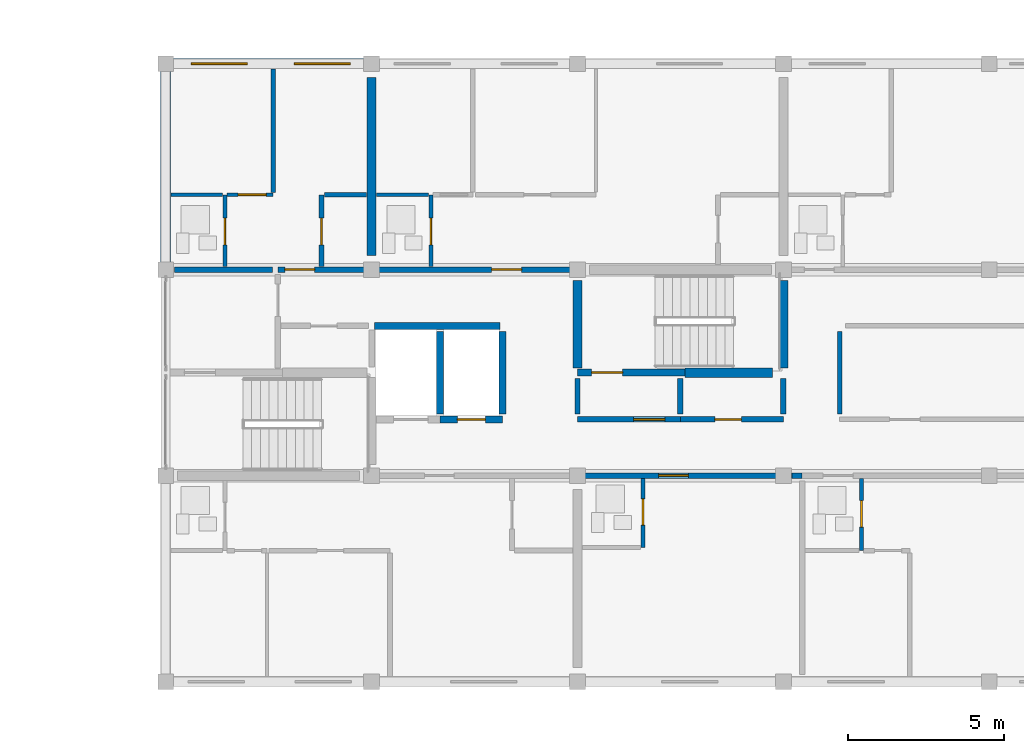
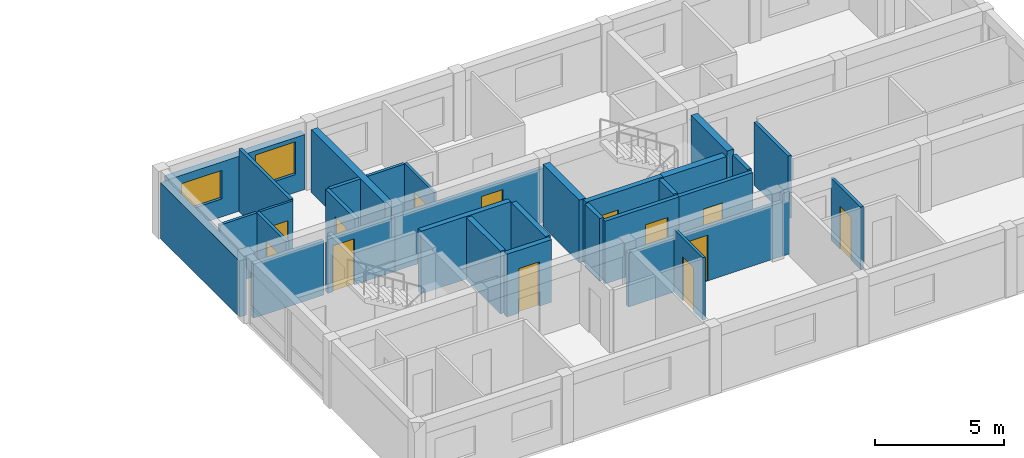
# One storey, part 35 of 45: 32 walls, 13 doors, 2 windows, 15 openings.
"""IFC4 building model written with IfcOpenShell, lengths in metres."""

from ifc_helpers import new_model, si_unit, direction, frame, frame_2d, origin, place, context, subcontext, project, spatial, rectangle, extrude, material, layer, layer_set, type_object, element, fill, save


model = new_model("IFC4")

# Units and contexts
model_context = context("Model", 3, precision=1e-05, world=origin(), true_north=direction((0.0, 1.0)))
body_context = subcontext(model_context, "Body", "Model", "MODEL_VIEW")
ifc_project = project(units=[si_unit("LENGTHUNIT", "METRE"), si_unit("AREAUNIT", "SQUARE_METRE"), si_unit("VOLUMEUNIT", "CUBIC_METRE"), si_unit("PLANEANGLEUNIT", "RADIAN"), si_unit("MASSUNIT", "GRAM", prefix="KILO")], contexts=[model_context])

# Site, building, storey
site_placement = place(None, origin())
site = spatial("IfcSite", under=ifc_project, at=site_placement, CompositionType="ELEMENT")
building_placement = place(site_placement, origin())
building = spatial("IfcBuilding", under=site, at=building_placement, Name="Kernevlak Ridge Housing Community", CompositionType="ELEMENT")
storey_placement = place(building_placement, frame((0.0, 0.0, 21.199951171875)))
storey = spatial("IfcBuildingStorey", under=building, at=storey_placement, Name="L06", CompositionType="ELEMENT", Elevation=21.199951171875)

# Wall, openings, windows
ifc_material_1 = material(Name="Concrete block masonry M10", Category="masonry")
ifc_layer_1 = layer(ifc_material_1, 0.320068359375, Name="Concrete block masonry M10")
ifc_layer_set_1 = layer_set([ifc_layer_1], Name="Concrete block masonry M10")
wall_type_1 = type_object("IfcWallType", Name="EW-02", PredefinedType="STANDARD", material=ifc_layer_set_1)
wall_1_placement = place(storey_placement, frame((119.64990234375, 102.39990234375, 0.0), z_axis=(0.0, 0.0, 1.0), x_axis=(1.0, 0.0, 0.0)))
wall_1 = element("IfcWall", 1, at=wall_1_placement, inside=storey, type_object=wall_type_1, Name="Exterior wall EW-02 L06 392", PredefinedType="STANDARD", context=body_context, shape_type="SweptSolid", body=[
    extrude(rectangle(XDim=6.10009765625, YDim=0.320068359375, at=frame_2d((3.050048828125, 0.0))), origin(), (0.0, 0.0, 1.0), 2.60009765625),
])
opening_1_placement = place(wall_1_placement, frame((0.574951171875, 0.0, 0.85009765625)))
opening_1 = element("IfcOpeningElement", 2, at=opening_1_placement, cuts=wall_1, Name="Opening WT-03", PredefinedType="OPENING", context=body_context, shape_type="SweptSolid", body=[
    extrude(rectangle(XDim=1.800048828125, YDim=1.35009765625, at=frame_2d((0.89990234375, 0.675048828125))), frame((0.0, 0.169921875, 0.0), z_axis=(0.0, -1.0, 0.0), x_axis=(1.0, 0.0, 0.0)), (0.0, 0.0, 1.0), 0.340087890625),
])
opening_2_placement = place(wall_1_placement, frame((3.875, 0.0, 0.85009765625)))
opening_2 = element("IfcOpeningElement", 3, at=opening_2_placement, cuts=wall_1, Name="Opening WT-04", PredefinedType="OPENING", context=body_context, shape_type="SweptSolid", body=[
    extrude(rectangle(XDim=1.800048828125, YDim=1.550048828125, at=frame_2d((0.89990234375, 0.77490234375))), frame((0.0, 0.169921875, 0.0), z_axis=(0.0, -1.0, 0.0), x_axis=(1.0, 0.0, 0.0)), (0.0, 0.0, 1.0), 0.340087890625),
])
ifc_material_2 = material(Name="Aluminium EN AW-6060 anodised and laminated glass", Category="aluminium")
window_type_1 = type_object("IfcWindowType", Name="WT-03", PartitioningType="SINGLE_PANEL", PredefinedType="WINDOW", material=ifc_material_2)
window_1_placement = place(opening_1_placement, origin())
window_1 = element("IfcWindow", 4, at=window_1_placement, inside=storey, type_object=window_type_1, Name="Window WT-03 L06 302", OverallHeight=1.35009765625, OverallWidth=1.800048828125, PartitioningType="SINGLE_PANEL", PredefinedType="WINDOW", context=body_context, shape_type="SweptSolid", body=[
    extrude(rectangle(XDim=1.800048828125, YDim=1.35009765625, at=frame_2d((0.89990234375, 0.675048828125))), frame((0.0, 0.030029296875, 0.0), z_axis=(0.0, -1.0, 0.0), x_axis=(1.0, 0.0, 0.0)), (0.0, 0.0, 1.0), 0.06005859375),
])
fill(opening_1, window_1)
window_type_2 = type_object("IfcWindowType", Name="WT-04", PartitioningType="SINGLE_PANEL", PredefinedType="WINDOW", material=ifc_material_2)
window_2_placement = place(opening_2_placement, origin())
window_2 = element("IfcWindow", 5, at=window_2_placement, inside=storey, type_object=window_type_2, Name="Window WT-04 L06 303", OverallHeight=1.550048828125, OverallWidth=1.800048828125, PartitioningType="SINGLE_PANEL", PredefinedType="WINDOW", context=body_context, shape_type="SweptSolid", body=[
    extrude(rectangle(XDim=1.800048828125, YDim=1.550048828125, at=frame_2d((0.89990234375, 0.77490234375))), frame((0.0, 0.030029296875, 0.0), z_axis=(0.0, -1.0, 0.0), x_axis=(1.0, 0.0, 0.0)), (0.0, 0.0, 1.0), 0.06005859375),
])
fill(opening_2, window_2)

# Wall
wall_2_placement = place(storey_placement, frame((119.39990234375, 96.050048828125, 0.0), z_axis=(0.0, 0.0, 1.0), x_axis=(0.0, 1.0, 0.0)))
element("IfcWall", 6, at=wall_2_placement, inside=storey, type_object=wall_type_1, Name="Exterior wall EW-02 L06 400", PredefinedType="STANDARD", context=body_context, shape_type="SweptSolid", body=[
    extrude(rectangle(XDim=6.099853515625, YDim=0.320068359375, at=frame_2d((3.0498046875, 0.0))), origin(), (0.0, 0.0, 1.0), 2.650146484375),
])

# Wall, opening, door
ifc_material_3 = material(Name="Concrete C35/45", Category="concrete")
ifc_layer_2 = layer(ifc_material_3, 0.22509765625, Name="Concrete C35/45")
ifc_layer_set_2 = layer_set([ifc_layer_2], Name="Concrete C35/45")
wall_type_2 = type_object("IfcWallType", Name="PW-01", PredefinedType="STANDARD", material=ifc_layer_set_2)
wall_3_placement = place(storey_placement, frame((128.199951171875, 91.0, 0.0), z_axis=(0.0, 0.0, 1.0), x_axis=(1.0, 0.0, 0.0)))
wall_3 = element("IfcWall", 7, at=wall_3_placement, inside=storey, type_object=wall_type_2, Name="Interior wall PW-01 WAL-INT-L06-1514", PredefinedType="STANDARD", context=body_context, shape_type="SweptSolid", body=[
    extrude(rectangle(XDim=2.0, YDim=0.22509765625, at=frame_2d((1.0, 0.0))), origin(), (0.0, 0.0, 1.0), 2.9599609375),
])
opening_3_placement = place(wall_3_placement, frame((0.550048828125, 0.0, 0.0)))
opening_3 = element("IfcOpeningElement", 8, at=opening_3_placement, cuts=wall_3, Name="Opening LD43", PredefinedType="OPENING", context=body_context, shape_type="SweptSolid", body=[
    extrude(rectangle(XDim=0.89990234375, YDim=2.10009765625, at=frame_2d((0.449951171875, 1.050048828125))), frame((0.0, 0.12255859375, 0.0), z_axis=(0.0, -1.0, 0.0), x_axis=(1.0, 0.0, 0.0)), (0.0, 0.0, 1.0), 0.2451171875),
])
ifc_material_4 = material(Name="Stainless steel EN 1.4401", Category="steel")
door_type_1 = type_object("IfcDoorType", Name="DT-LD2", OperationType="DOUBLE_DOOR_SLIDING", PredefinedType="DOOR", material=ifc_material_4)
door_1_placement = place(opening_3_placement, origin())
door_1 = element("IfcDoor", 9, at=door_1_placement, inside=storey, type_object=door_type_1, Name="Lift LF-B2 landing door LD43", OperationType="DOUBLE_DOOR_SLIDING", OverallHeight=2.10009765625, OverallWidth=0.89990234375, PredefinedType="DOOR", context=body_context, shape_type="SweptSolid", body=[
    extrude(rectangle(XDim=0.89990234375, YDim=2.10009765625, at=frame_2d((0.449951171875, 1.050048828125))), frame((0.0, 0.02490234375, 0.0), z_axis=(0.0, -1.0, 0.0), x_axis=(1.0, 0.0, 0.0)), (0.0, 0.0, 1.0), 0.050048828125),
])
fill(opening_3, door_1)

# Walls
wall_4_placement = place(storey_placement, frame((126.097412109375, 94.0, 0.0), z_axis=(0.0, 0.0, 1.0), x_axis=(1.0, 0.0, 0.0)))
element("IfcWall", 10, at=wall_4_placement, inside=storey, type_object=wall_type_2, Name="Interior wall PW-01 WAL-INT-L06-1515", PredefinedType="STANDARD", context=body_context, shape_type="SweptSolid", body=[
    extrude(rectangle(XDim=4.022705078125, YDim=0.22509765625, at=frame_2d((2.01123046875, 0.0))), origin(), (0.0, 0.0, 1.0), 2.9599609375),
])
for number, where, z_axis, x_axis, name in (
    (11, (128.199951171875, 91.179931640625, 0.0), (0.0, 0.0, 1.0), (0.0, 1.0, 0.0), "Interior wall PW-01 WAL-INT-L06-1517"),
    (12, (130.199951171875, 91.179931640625, 0.0), (0.0, 0.0, 1.0), (0.0, 1.0, 0.0), "Interior wall PW-01 WAL-INT-L06-1518"),
):
    element("IfcWall", number, at=place(storey_placement, frame(where, z_axis=z_axis, x_axis=x_axis)), inside=storey, type_object=wall_type_2, Name=name, PredefinedType="STANDARD", context=body_context, shape_type="SweptSolid", body=[
        extrude(rectangle(XDim=2.64013671875, YDim=0.22509765625, at=frame_2d((1.320068359375, 0.0))), origin(), (0.0, 0.0, 1.0), 2.9599609375),
    ])

# Wall, opening, door
wall_5_placement = place(storey_placement, frame((132.60009765625, 92.5, 0.0), z_axis=(0.0, 0.0, 1.0), x_axis=(1.0, 0.0, 0.0)))
wall_5 = element("IfcWall", 13, at=wall_5_placement, inside=storey, type_object=wall_type_2, Name="Interior wall PW-01 WAL-INT-L06-1519", PredefinedType="STANDARD", context=body_context, shape_type="SweptSolid", body=[
    extrude(rectangle(XDim=3.449951171875, YDim=0.22509765625, at=frame_2d((1.72509765625, 0.0))), origin(), (0.0, 0.0, 1.0), 2.9599609375),
])
opening_4_placement = place(wall_5_placement, frame((0.449951171875, 0.0, 0.0)))
opening_4 = element("IfcOpeningElement", 14, at=opening_4_placement, cuts=wall_5, Name="Opening D768", PredefinedType="OPENING", context=body_context, shape_type="SweptSolid", body=[
    extrude(rectangle(XDim=1.0, YDim=2.10009765625, at=frame_2d((0.5, 1.050048828125))), frame((0.0, 0.12255859375, 0.0), z_axis=(0.0, -1.0, 0.0), x_axis=(1.0, 0.0, 0.0)), (0.0, 0.0, 1.0), 0.2451171875),
])
ifc_material_5 = material(Name="Fire-rated sheet steel leaf", Category="steel")
door_type_2 = type_object("IfcDoorType", Name="DT-05", OperationType="NOTDEFINED", PredefinedType="DOOR", material=ifc_material_5)
door_2_placement = place(opening_4_placement, origin())
door_2 = element("IfcDoor", 15, at=door_2_placement, inside=storey, type_object=door_type_2, Name="Block B Stair 2 fire door D768", OperationType="SINGLE_SWING_RIGHT", OverallHeight=2.10009765625, OverallWidth=1.0, PredefinedType="DOOR", context=body_context, shape_type="SweptSolid", body=[
    extrude(rectangle(XDim=1.0, YDim=2.10009765625, at=frame_2d((0.5, 1.050048828125))), frame((0.0, 0.02490234375, 0.0), z_axis=(0.0, -1.0, 0.0), x_axis=(1.0, 0.0, 0.0)), (0.0, 0.0, 1.0), 0.050048828125),
])
fill(opening_4, door_2)

ifc_layer_3 = layer(ifc_material_1, 0.175048828125, Name="Concrete block masonry M10")
ifc_layer_set_3 = layer_set([ifc_layer_3], Name="Concrete block masonry M10")
wall_type_3 = type_object("IfcWallType", Name="PW-02", PredefinedType="PARTITIONING", material=ifc_layer_set_3)
wall_6_placement = place(storey_placement, frame((132.60009765625, 91.0, 0.0), z_axis=(0.0, 0.0, 1.0), x_axis=(1.0, 0.0, 0.0)))
wall_6 = element("IfcWall", 16, at=wall_6_placement, inside=storey, type_object=wall_type_3, Name="Interior wall PW-02 WAL-INT-L06-1520", PredefinedType="PARTITIONING", context=body_context, shape_type="SweptSolid", body=[
    extrude(rectangle(XDim=3.2998046875, YDim=0.175048828125, at=frame_2d((1.64990234375, 0.0))), origin(), (0.0, 0.0, 1.0), 2.9599609375),
])
opening_5_placement = place(wall_6_placement, frame((1.800048828125, 0.0, 0.0)))
opening_5 = element("IfcOpeningElement", 17, at=opening_5_placement, cuts=wall_6, Name="Opening D769", PredefinedType="OPENING", context=body_context, shape_type="SweptSolid", body=[
    extrude(rectangle(XDim=1.0, YDim=2.159912109375, at=frame_2d((0.5, 1.080078125))), frame((0.0, 0.097412109375, 0.0), z_axis=(0.0, -1.0, 0.0), x_axis=(1.0, 0.0, 0.0)), (0.0, 0.0, 1.0), 0.195068359375),
])
door_type_3 = type_object("IfcDoorType", Name="DT-15", OperationType="NOTDEFINED", PredefinedType="DOOR", material=ifc_material_5)
door_3_placement = place(opening_5_placement, origin())
door_3 = element("IfcDoor", 18, at=door_3_placement, inside=storey, type_object=door_type_3, Name="Block B Firefighting lobby 2 door D769", OperationType="SINGLE_SWING_LEFT", OverallHeight=2.159912109375, OverallWidth=1.0, PredefinedType="DOOR", context=body_context, shape_type="SweptSolid", body=[
    extrude(rectangle(XDim=1.0, YDim=2.159912109375, at=frame_2d((0.5, 1.080078125))), frame((0.0, 0.02490234375, 0.0), z_axis=(0.0, -1.0, 0.0), x_axis=(1.0, 0.0, 0.0)), (0.0, 0.0, 1.0), 0.050048828125),
])
fill(opening_5, door_3)

wall_7_placement = place(storey_placement, frame((135.89990234375, 91.0, 0.0), z_axis=(0.0, 0.0, 1.0), x_axis=(1.0, 0.0, 0.0)))
wall_7 = element("IfcWall", 19, at=wall_7_placement, inside=storey, type_object=wall_type_3, Name="Interior wall PW-02 WAL-INT-L06-1521", PredefinedType="PARTITIONING", context=body_context, shape_type="SweptSolid", body=[
    extrude(rectangle(XDim=3.300048828125, YDim=0.175048828125, at=frame_2d((1.64990234375, 0.0))), origin(), (0.0, 0.0, 1.0), 2.9599609375),
])
opening_6_placement = place(wall_7_placement, frame((1.10009765625, 0.0, 0.0)))
opening_6 = element("IfcOpeningElement", 20, at=opening_6_placement, cuts=wall_7, Name="Opening D770", PredefinedType="OPENING", context=body_context, shape_type="SweptSolid", body=[
    extrude(rectangle(XDim=0.85009765625, YDim=2.0, at=frame_2d((0.425048828125, 1.0))), frame((0.0, 0.097412109375, 0.0), z_axis=(0.0, -1.0, 0.0), x_axis=(1.0, 0.0, 0.0)), (0.0, 0.0, 1.0), 0.195068359375),
])
door_type_4 = type_object("IfcDoorType", Name="DT-07", OperationType="NOTDEFINED", PredefinedType="DOOR", material=ifc_material_5)
door_4_placement = place(opening_6_placement, origin())
door_4 = element("IfcDoor", 21, at=door_4_placement, inside=storey, type_object=door_type_4, Name="Block B Cleaner store door D770", OperationType="SINGLE_SWING_RIGHT", OverallHeight=2.0, OverallWidth=0.85009765625, PredefinedType="DOOR", context=body_context, shape_type="SweptSolid", body=[
    extrude(rectangle(XDim=0.85009765625, YDim=2.0, at=frame_2d((0.425048828125, 1.0))), frame((0.0, 0.02490234375, 0.0), z_axis=(0.0, -1.0, 0.0), x_axis=(1.0, 0.0, 0.0)), (0.0, 0.0, 1.0), 0.050048828125),
])
fill(opening_6, door_4)

# Walls
for number, where, z_axis, x_axis, name in (
    (22, (132.60009765625, 91.179931640625, 0.0), (0.0, 0.0, 1.0), (0.0, 1.0, 0.0), "Interior wall PW-02 WAL-INT-L06-1522"),
    (23, (135.89990234375, 91.179931640625, 0.0), (0.0, 0.0, 1.0), (0.0, 1.0, 0.0), "Interior wall PW-02 WAL-INT-L06-1523"),
    (24, (139.199951171875, 91.179931640625, 0.0), (0.0, 0.0, 1.0), (0.0, 1.0, 0.0), "Interior wall PW-02 WAL-INT-L06-1524"),
):
    element("IfcWall", number, at=place(storey_placement, frame(where, z_axis=z_axis, x_axis=x_axis)), inside=storey, type_object=wall_type_3, Name=name, PredefinedType="PARTITIONING", context=body_context, shape_type="SweptSolid", body=[
        extrude(rectangle(XDim=1.14013671875, YDim=0.175048828125, at=frame_2d((0.570068359375, 0.0))), origin(), (0.0, 0.0, 1.0), 2.9599609375),
    ])

# Wall, opening, door
wall_8_placement = place(storey_placement, frame((132.60009765625, 89.199951171875, 0.0), z_axis=(0.0, 0.0, 1.0), x_axis=(1.0, 0.0, 0.0)))
wall_8 = element("IfcWall", 25, at=wall_8_placement, inside=storey, type_object=wall_type_3, Name="Interior wall PW-02 WAL-INT-L06-1539", PredefinedType="PARTITIONING", context=body_context, shape_type="SweptSolid", body=[
    extrude(rectangle(XDim=6.8798828125, YDim=0.175048828125, at=frame_2d((3.43994140625, 0.0))), origin(), (0.0, 0.0, 1.0), 2.550048828125),
])
opening_7_placement = place(wall_8_placement, frame((2.60009765625, 0.0, 0.0)))
opening_7 = element("IfcOpeningElement", 26, at=opening_7_placement, cuts=wall_8, Name="Opening D778", PredefinedType="OPENING", context=body_context, shape_type="SweptSolid", body=[
    extrude(rectangle(XDim=0.949951171875, YDim=2.159912109375, at=frame_2d((0.47509765625, 1.080078125))), frame((0.0, 0.097412109375, 0.0), z_axis=(0.0, -1.0, 0.0), x_axis=(1.0, 0.0, 0.0)), (0.0, 0.0, 1.0), 0.195068359375),
])
ifc_material_6 = material(Name="Hardwood timber solid-core fire leaf", Category="wood")
door_type_5 = type_object("IfcDoorType", Name="DT-02", OperationType="NOTDEFINED", PredefinedType="DOOR", material=ifc_material_6)
door_5_placement = place(opening_7_placement, origin())
door_5 = element("IfcDoor", 27, at=door_5_placement, inside=storey, type_object=door_type_5, Name="Flat B0612 entrance fire door D778", OperationType="SINGLE_SWING_RIGHT", OverallHeight=2.159912109375, OverallWidth=0.949951171875, PredefinedType="DOOR", context=body_context, shape_type="SweptSolid", body=[
    extrude(rectangle(XDim=0.949951171875, YDim=2.159912109375, at=frame_2d((0.47509765625, 1.080078125))), frame((0.0, 0.02490234375, 0.0), z_axis=(0.0, -1.0, 0.0), x_axis=(1.0, 0.0, 0.0)), (0.0, 0.0, 1.0), 0.050048828125),
])
fill(opening_7, door_5)

# Walls
wall_9_placement = place(storey_placement, frame((139.47998046875, 89.199951171875, 0.0), z_axis=(0.0, 0.0, 1.0), x_axis=(1.0, 0.0, 0.0)))
element("IfcWall", 28, at=wall_9_placement, inside=storey, type_object=wall_type_3, Name="Interior wall PW-02 WAL-INT-L06-1539 part 2", PredefinedType="PARTITIONING", context=body_context, shape_type="SweptSolid", body=[
    extrude(rectangle(XDim=0.320068359375, YDim=0.175048828125, at=frame_2d((0.16015625, 0.0))), origin(), (0.0, 0.0, 1.0), 2.9599609375),
])
wall_10_placement = place(storey_placement, frame((119.679931640625, 95.800048828125, 0.0), z_axis=(0.0, 0.0, 1.0), x_axis=(1.0, 0.0, 0.0)))
element("IfcWall", 29, at=wall_10_placement, inside=storey, type_object=wall_type_3, Name="Interior wall PW-02 WAL-INT-L06-1550", PredefinedType="PARTITIONING", context=body_context, shape_type="SweptSolid", body=[
    extrude(rectangle(XDim=3.14013671875, YDim=0.175048828125, at=frame_2d((1.570068359375, 0.0))), origin(), (0.0, 0.0, 1.0), 2.550048828125),
])

# Wall, opening, door
wall_11_placement = place(storey_placement, frame((123.0, 95.800048828125, 0.0), z_axis=(0.0, 0.0, 1.0), x_axis=(1.0, 0.0, 0.0)))
wall_11 = element("IfcWall", 30, at=wall_11_placement, inside=storey, type_object=wall_type_3, Name="Interior wall PW-02 WAL-INT-L06-1551", PredefinedType="PARTITIONING", context=body_context, shape_type="SweptSolid", body=[
    extrude(rectangle(XDim=3.0, YDim=0.175048828125, at=frame_2d((1.5, 0.0))), origin(), (0.0, 0.0, 1.0), 2.550048828125),
])
opening_8_placement = place(wall_11_placement, frame((0.219970703125, 0.0, 0.0)))
opening_8 = element("IfcOpeningElement", 31, at=opening_8_placement, cuts=wall_11, Name="Opening D784", PredefinedType="OPENING", context=body_context, shape_type="SweptSolid", body=[
    extrude(rectangle(XDim=0.9599609375, YDim=2.179931640625, at=frame_2d((0.47998046875, 1.08984375))), frame((0.0, 0.097412109375, 0.0), z_axis=(0.0, -1.0, 0.0), x_axis=(1.0, 0.0, 0.0)), (0.0, 0.0, 1.0), 0.195068359375),
])
door_type_6 = type_object("IfcDoorType", Name="DT-29", OperationType="NOTDEFINED", PredefinedType="DOOR", material=ifc_material_6)
door_6_placement = place(opening_8_placement, origin())
door_6 = element("IfcDoor", 32, at=door_6_placement, inside=storey, type_object=door_type_6, Name="Flat B0621 entrance fire door D784", OperationType="SINGLE_SWING_RIGHT", OverallHeight=2.179931640625, OverallWidth=0.9599609375, PredefinedType="DOOR", context=body_context, shape_type="SweptSolid", body=[
    extrude(rectangle(XDim=0.9599609375, YDim=2.179931640625, at=frame_2d((0.47998046875, 1.08984375))), frame((0.0, 0.02490234375, 0.0), z_axis=(0.0, -1.0, 0.0), x_axis=(1.0, 0.0, 0.0)), (0.0, 0.0, 1.0), 0.050048828125),
])
fill(opening_8, door_6)

wall_12_placement = place(storey_placement, frame((126.0, 95.800048828125, 0.0), z_axis=(0.0, 0.0, 1.0), x_axis=(1.0, 0.0, 0.0)))
wall_12 = element("IfcWall", 33, at=wall_12_placement, inside=storey, type_object=wall_type_3, Name="Interior wall PW-02 WAL-INT-L06-1558", PredefinedType="PARTITIONING", context=body_context, shape_type="SweptSolid", body=[
    extrude(rectangle(XDim=6.60009765625, YDim=0.175048828125, at=frame_2d((3.300048828125, 0.0))), origin(), (0.0, 0.0, 1.0), 2.550048828125),
])
opening_9_placement = place(wall_12_placement, frame((3.85009765625, 0.0, 0.0)))
opening_9 = element("IfcOpeningElement", 34, at=opening_9_placement, cuts=wall_12, Name="Opening D788", PredefinedType="OPENING", context=body_context, shape_type="SweptSolid", body=[
    extrude(rectangle(XDim=0.9599609375, YDim=2.179931640625, at=frame_2d((0.47998046875, 1.08984375))), frame((0.0, 0.097412109375, 0.0), z_axis=(0.0, -1.0, 0.0), x_axis=(1.0, 0.0, 0.0)), (0.0, 0.0, 1.0), 0.195068359375),
])
door_7_placement = place(opening_9_placement, origin())
door_7 = element("IfcDoor", 35, at=door_7_placement, inside=storey, type_object=door_type_6, Name="Flat B0622 entrance fire door D788", OperationType="SINGLE_SWING_RIGHT", OverallHeight=2.179931640625, OverallWidth=0.9599609375, PredefinedType="DOOR", context=body_context, shape_type="SweptSolid", body=[
    extrude(rectangle(XDim=0.9599609375, YDim=2.179931640625, at=frame_2d((0.47998046875, 1.08984375))), frame((0.0, 0.02490234375, 0.0), z_axis=(0.0, -1.0, 0.0), x_axis=(1.0, 0.0, 0.0)), (0.0, 0.0, 1.0), 0.050048828125),
])
fill(opening_9, door_7)

# Walls
ifc_layer_4 = layer(ifc_material_1, 0.14501953125, Name="Concrete block masonry M10")
ifc_layer_set_4 = layer_set([ifc_layer_4], Name="Concrete block masonry M10")
wall_type_4 = type_object("IfcWallType", Name="PW-03", PredefinedType="PARTITIONING", material=ifc_layer_set_4)
wall_13_placement = place(storey_placement, frame((141.0, 91.179931640625, 0.0), z_axis=(0.0, 0.0, 1.0), x_axis=(0.0, 1.0, 0.0)))
element("IfcWall", 36, at=wall_13_placement, inside=storey, type_object=wall_type_4, Name="Interior wall PW-03 WAL-INT-L06-1529", PredefinedType="PARTITIONING", context=body_context, shape_type="SweptSolid", body=[
    extrude(rectangle(XDim=2.64013671875, YDim=0.14501953125, at=frame_2d((1.320068359375, 0.0))), origin(), (0.0, 0.0, 1.0), 2.9599609375),
])
wall_14_placement = place(storey_placement, frame((122.85009765625, 98.280029296875, 0.0), z_axis=(0.0, 0.0, 1.0), x_axis=(0.0, 1.0, 0.0)))
element("IfcWall", 37, at=wall_14_placement, inside=storey, type_object=wall_type_4, Name="Interior wall PW-03 WAL-INT-L06-1557", PredefinedType="PARTITIONING", context=body_context, shape_type="SweptSolid", body=[
    extrude(rectangle(XDim=3.949951171875, YDim=0.14501953125, at=frame_2d((1.97509765625, 0.0))), origin(), (0.0, 0.0, 1.0), 2.9599609375),
])

# Wall, opening, door
ifc_material_7 = material(Name="Gypsum plasterboard EN 520", Category="gypsum")
ifc_layer_5 = layer(ifc_material_7, 0.125, Name="Gypsum plasterboard EN 520")
ifc_layer_set_5 = layer_set([ifc_layer_5], Name="Gypsum plasterboard EN 520")
wall_type_5 = type_object("IfcWallType", Name="PW-04", PredefinedType="PARTITIONING", material=ifc_layer_set_5)
wall_15_placement = place(storey_placement, frame((134.699951171875, 89.1025390625, 0.0), z_axis=(0.0, 0.0, 1.0), x_axis=(0.0, -1.0, 0.0)))
wall_15 = element("IfcWall", 38, at=wall_15_placement, inside=storey, type_object=wall_type_5, Name="Interior wall PW-04 WAL-INT-L06-1540", PredefinedType="PARTITIONING", context=body_context, shape_type="SweptSolid", body=[
    extrude(rectangle(XDim=2.20263671875, YDim=0.125, at=frame_2d((1.101318359375, 0.0))), origin(), (0.0, 0.0, 1.0), 2.9599609375),
])
opening_10_placement = place(wall_15_placement, frame((0.64990234375, 0.0, 0.0)))
opening_10 = element("IfcOpeningElement", 39, at=opening_10_placement, cuts=wall_15, Name="Opening D779", PredefinedType="OPENING", context=body_context, shape_type="SweptSolid", body=[
    extrude(rectangle(XDim=0.840087890625, YDim=2.06005859375, at=frame_2d((0.419921875, 1.030029296875))), frame((0.0, 0.072509765625, 0.0), z_axis=(0.0, -1.0, 0.0), x_axis=(1.0, 0.0, 0.0)), (0.0, 0.0, 1.0), 0.14501953125),
])
ifc_material_8 = material(Name="Hardwood timber moisture-resistant leaf", Category="wood")
door_type_7 = type_object("IfcDoorType", Name="DT-27", OperationType="NOTDEFINED", PredefinedType="DOOR", material=ifc_material_8)
door_8_placement = place(opening_10_placement, origin())
door_8 = element("IfcDoor", 40, at=door_8_placement, inside=storey, type_object=door_type_7, Name="Flat B0612 bathroom door D779", OperationType="SINGLE_SWING_LEFT", OverallHeight=2.06005859375, OverallWidth=0.840087890625, PredefinedType="DOOR", context=body_context, shape_type="SweptSolid", body=[
    extrude(rectangle(XDim=0.840087890625, YDim=2.06005859375, at=frame_2d((0.419921875, 1.030029296875))), frame((0.0, 0.02490234375, 0.0), z_axis=(0.0, -1.0, 0.0), x_axis=(1.0, 0.0, 0.0)), (0.0, 0.0, 1.0), 0.050048828125),
])
fill(opening_10, door_8)

wall_16_placement = place(storey_placement, frame((141.699951171875, 89.1025390625, 0.0), z_axis=(0.0, 0.0, 1.0), x_axis=(0.0, -1.0, 0.0)))
wall_16 = element("IfcWall", 41, at=wall_16_placement, inside=storey, type_object=wall_type_5, Name="Interior wall PW-04 WAL-INT-L06-1544", PredefinedType="PARTITIONING", context=body_context, shape_type="SweptSolid", body=[
    extrude(rectangle(XDim=2.302490234375, YDim=0.125, at=frame_2d((1.1513671875, 0.0))), origin(), (0.0, 0.0, 1.0), 2.9599609375),
])
opening_11_placement = place(wall_16_placement, frame((0.699951171875, 0.0, 0.0)))
opening_11 = element("IfcOpeningElement", 42, at=opening_11_placement, cuts=wall_16, Name="Opening D781", PredefinedType="OPENING", context=body_context, shape_type="SweptSolid", body=[
    extrude(rectangle(XDim=0.85009765625, YDim=2.0400390625, at=frame_2d((0.425048828125, 1.02001953125))), frame((0.0, 0.072509765625, 0.0), z_axis=(0.0, -1.0, 0.0), x_axis=(1.0, 0.0, 0.0)), (0.0, 0.0, 1.0), 0.14501953125),
])
door_type_8 = type_object("IfcDoorType", Name="DT-04", OperationType="NOTDEFINED", PredefinedType="DOOR", material=ifc_material_8)
door_9_placement = place(opening_11_placement, origin())
door_9 = element("IfcDoor", 43, at=door_9_placement, inside=storey, type_object=door_type_8, Name="Flat B0613 bathroom door D781", OperationType="SINGLE_SWING_LEFT", OverallHeight=2.0400390625, OverallWidth=0.85009765625, PredefinedType="DOOR", context=body_context, shape_type="SweptSolid", body=[
    extrude(rectangle(XDim=0.85009765625, YDim=2.0400390625, at=frame_2d((0.425048828125, 1.02001953125))), frame((0.0, 0.02490234375, 0.0), z_axis=(0.0, -1.0, 0.0), x_axis=(1.0, 0.0, 0.0)), (0.0, 0.0, 1.0), 0.050048828125),
])
fill(opening_11, door_9)

wall_17_placement = place(storey_placement, frame((121.300048828125, 95.8974609375, 0.0), z_axis=(0.0, 0.0, 1.0), x_axis=(0.0, 1.0, 0.0)))
wall_17 = element("IfcWall", 44, at=wall_17_placement, inside=storey, type_object=wall_type_5, Name="Interior wall PW-04 WAL-INT-L06-1552", PredefinedType="PARTITIONING", context=body_context, shape_type="SweptSolid", body=[
    extrude(rectangle(XDim=2.302490234375, YDim=0.125, at=frame_2d((1.1513671875, 0.0))), origin(), (0.0, 0.0, 1.0), 2.9599609375),
])
opening_12_placement = place(wall_17_placement, frame((0.699951171875, 0.0, 0.0)))
opening_12 = element("IfcOpeningElement", 45, at=opening_12_placement, cuts=wall_17, Name="Opening D785", PredefinedType="OPENING", context=body_context, shape_type="SweptSolid", body=[
    extrude(rectangle(XDim=0.85009765625, YDim=2.0400390625, at=frame_2d((0.425048828125, 1.02001953125))), frame((0.0, 0.072509765625, 0.0), z_axis=(0.0, -1.0, 0.0), x_axis=(1.0, 0.0, 0.0)), (0.0, 0.0, 1.0), 0.14501953125),
])
door_10_placement = place(opening_12_placement, origin())
door_10 = element("IfcDoor", 46, at=door_10_placement, inside=storey, type_object=door_type_8, Name="Flat B0621 bathroom door D785", OperationType="SINGLE_SWING_LEFT", OverallHeight=2.0400390625, OverallWidth=0.85009765625, PredefinedType="DOOR", context=body_context, shape_type="SweptSolid", body=[
    extrude(rectangle(XDim=0.85009765625, YDim=2.0400390625, at=frame_2d((0.425048828125, 1.02001953125))), frame((0.0, 0.02490234375, 0.0), z_axis=(0.0, -1.0, 0.0), x_axis=(1.0, 0.0, 0.0)), (0.0, 0.0, 1.0), 0.050048828125),
])
fill(opening_12, door_10)

# Wall
wall_18_placement = place(storey_placement, frame((119.570068359375, 98.199951171875, 0.0), z_axis=(0.0, 0.0, 1.0), x_axis=(1.0, 0.0, 0.0)))
element("IfcWall", 47, at=wall_18_placement, inside=storey, type_object=wall_type_5, Name="Interior wall PW-04 WAL-INT-L06-1553", PredefinedType="PARTITIONING", context=body_context, shape_type="SweptSolid", body=[
    extrude(rectangle(XDim=1.64990234375, YDim=0.125, at=frame_2d((0.824951171875, 0.0))), origin(), (0.0, 0.0, 1.0), 2.9599609375),
])

# Wall, opening, door
wall_19_placement = place(storey_placement, frame((127.89990234375, 95.8974609375, 0.0), z_axis=(0.0, 0.0, 1.0), x_axis=(0.0, 1.0, 0.0)))
wall_19 = element("IfcWall", 48, at=wall_19_placement, inside=storey, type_object=wall_type_5, Name="Interior wall PW-04 WAL-INT-L06-1559", PredefinedType="PARTITIONING", context=body_context, shape_type="SweptSolid", body=[
    extrude(rectangle(XDim=2.302490234375, YDim=0.125, at=frame_2d((1.1513671875, 0.0))), origin(), (0.0, 0.0, 1.0), 2.9599609375),
])
opening_13_placement = place(wall_19_placement, frame((0.699951171875, 0.0, 0.0)))
opening_13 = element("IfcOpeningElement", 49, at=opening_13_placement, cuts=wall_19, Name="Opening D789", PredefinedType="OPENING", context=body_context, shape_type="SweptSolid", body=[
    extrude(rectangle(XDim=0.85009765625, YDim=2.0400390625, at=frame_2d((0.425048828125, 1.02001953125))), frame((0.0, 0.072509765625, 0.0), z_axis=(0.0, -1.0, 0.0), x_axis=(1.0, 0.0, 0.0)), (0.0, 0.0, 1.0), 0.14501953125),
])
door_11_placement = place(opening_13_placement, origin())
door_11 = element("IfcDoor", 50, at=door_11_placement, inside=storey, type_object=door_type_8, Name="Flat B0622 bathroom door D789", OperationType="SINGLE_SWING_LEFT", OverallHeight=2.0400390625, OverallWidth=0.85009765625, PredefinedType="DOOR", context=body_context, shape_type="SweptSolid", body=[
    extrude(rectangle(XDim=0.85009765625, YDim=2.0400390625, at=frame_2d((0.425048828125, 1.02001953125))), frame((0.0, 0.02490234375, 0.0), z_axis=(0.0, -1.0, 0.0), x_axis=(1.0, 0.0, 0.0)), (0.0, 0.0, 1.0), 0.050048828125),
])
fill(opening_13, door_11)

# Wall
wall_20_placement = place(storey_placement, frame((126.159912109375, 98.199951171875, 0.0), z_axis=(0.0, 0.0, 1.0), x_axis=(1.0, 0.0, 0.0)))
element("IfcWall", 51, at=wall_20_placement, inside=storey, type_object=wall_type_5, Name="Interior wall PW-04 WAL-INT-L06-1560", PredefinedType="PARTITIONING", context=body_context, shape_type="SweptSolid", body=[
    extrude(rectangle(XDim=1.66015625, YDim=0.125, at=frame_2d((0.830078125, 0.0))), origin(), (0.0, 0.0, 1.0), 2.9599609375),
])

# Wall, opening, door
ifc_layer_6 = layer(ifc_material_7, 0.155029296875, Name="Gypsum plasterboard EN 520")
ifc_layer_set_6 = layer_set([ifc_layer_6], Name="Gypsum plasterboard EN 520")
wall_type_6 = type_object("IfcWallType", Name="PW-05", PredefinedType="PARTITIONING", material=ifc_layer_set_6)
wall_21_placement = place(storey_placement, frame((124.39990234375, 95.8974609375, 0.0), z_axis=(0.0, 0.0, 1.0), x_axis=(0.0, 1.0, 0.0)))
wall_21 = element("IfcWall", 52, at=wall_21_placement, inside=storey, type_object=wall_type_6, Name="Interior wall PW-05 WAL-INT-L06-1554", PredefinedType="PARTITIONING", context=body_context, shape_type="SweptSolid", body=[
    extrude(rectangle(XDim=2.302490234375, YDim=0.155029296875, at=frame_2d((1.1513671875, 0.0))), origin(), (0.0, 0.0, 1.0), 2.9599609375),
])
opening_14_placement = place(wall_21_placement, frame((0.699951171875, 0.0, 0.0)))
opening_14 = element("IfcOpeningElement", 53, at=opening_14_placement, cuts=wall_21, Name="Opening D786", PredefinedType="OPENING", context=body_context, shape_type="SweptSolid", body=[
    extrude(rectangle(XDim=0.85009765625, YDim=2.10009765625, at=frame_2d((0.425048828125, 1.050048828125))), frame((0.0, 0.08740234375, 0.0), z_axis=(0.0, -1.0, 0.0), x_axis=(1.0, 0.0, 0.0)), (0.0, 0.0, 1.0), 0.175048828125),
])
ifc_material_9 = material(Name="Hardwood timber leaf", Category="wood")
door_type_9 = type_object("IfcDoorType", Name="DT-03", OperationType="NOTDEFINED", PredefinedType="DOOR", material=ifc_material_9)
door_12_placement = place(opening_14_placement, origin())
door_12 = element("IfcDoor", 54, at=door_12_placement, inside=storey, type_object=door_type_9, Name="Flat B0621 kitchen door D786", OperationType="SINGLE_SWING_RIGHT", OverallHeight=2.10009765625, OverallWidth=0.85009765625, PredefinedType="DOOR", context=body_context, shape_type="SweptSolid", body=[
    extrude(rectangle(XDim=0.85009765625, YDim=2.10009765625, at=frame_2d((0.425048828125, 1.050048828125))), frame((0.0, 0.02490234375, 0.0), z_axis=(0.0, -1.0, 0.0), x_axis=(1.0, 0.0, 0.0)), (0.0, 0.0, 1.0), 0.050048828125),
])
fill(opening_14, door_12)

# Wall
wall_22_placement = place(storey_placement, frame((124.487548828125, 98.199951171875, 0.0), z_axis=(0.0, 0.0, 1.0), x_axis=(1.0, 0.0, 0.0)))
element("IfcWall", 55, at=wall_22_placement, inside=storey, type_object=wall_type_6, Name="Interior wall PW-05 WAL-INT-L06-1555", PredefinedType="PARTITIONING", context=body_context, shape_type="SweptSolid", body=[
    extrude(rectangle(XDim=1.3525390625, YDim=0.155029296875, at=frame_2d((0.67626953125, 0.0))), origin(), (0.0, 0.0, 1.0), 2.9599609375),
])

# Wall, opening, door
ifc_layer_7 = layer(ifc_material_7, 0.10498046875, Name="Gypsum plasterboard EN 520")
ifc_layer_set_7 = layer_set([ifc_layer_7], Name="Gypsum plasterboard EN 520")
wall_type_7 = type_object("IfcWallType", Name="PW-06", PredefinedType="PARTITIONING", material=ifc_layer_set_7)
wall_23_placement = place(storey_placement, frame((121.37255859375, 98.199951171875, 0.0), z_axis=(0.0, 0.0, 1.0), x_axis=(1.0, 0.0, 0.0)))
wall_23 = element("IfcWall", 56, at=wall_23_placement, inside=storey, type_object=wall_type_7, Name="Interior wall PW-06 WAL-INT-L06-1556", PredefinedType="PARTITIONING", context=body_context, shape_type="SweptSolid", body=[
    extrude(rectangle(XDim=1.4775390625, YDim=0.10498046875, at=frame_2d((0.73876953125, 0.0))), origin(), (0.0, 0.0, 1.0), 2.9599609375),
])
opening_15_placement = place(wall_23_placement, frame((0.35009765625, 0.0, 0.0)))
opening_15 = element("IfcOpeningElement", 57, at=opening_15_placement, cuts=wall_23, Name="Opening D787", PredefinedType="OPENING", context=body_context, shape_type="SweptSolid", body=[
    extrude(rectangle(XDim=0.89990234375, YDim=2.10009765625, at=frame_2d((0.449951171875, 1.050048828125))), frame((0.0, 0.0625, 0.0), z_axis=(0.0, -1.0, 0.0), x_axis=(1.0, 0.0, 0.0)), (0.0, 0.0, 1.0), 0.125),
])
door_type_10 = type_object("IfcDoorType", Name="DT-21", OperationType="NOTDEFINED", PredefinedType="DOOR", material=ifc_material_9)
door_13_placement = place(opening_15_placement, origin())
door_13 = element("IfcDoor", 58, at=door_13_placement, inside=storey, type_object=door_type_10, Name="Flat B0621 bedroom door D787", OperationType="SINGLE_SWING_LEFT", OverallHeight=2.10009765625, OverallWidth=0.89990234375, PredefinedType="DOOR", context=body_context, shape_type="SweptSolid", body=[
    extrude(rectangle(XDim=0.89990234375, YDim=2.10009765625, at=frame_2d((0.449951171875, 1.050048828125))), frame((0.0, 0.02490234375, 0.0), z_axis=(0.0, -1.0, 0.0), x_axis=(1.0, 0.0, 0.0)), (0.0, 0.0, 1.0), 0.050048828125),
])
fill(opening_15, door_13)

# Walls
ifc_material_10 = material(Name="Concrete C40/50", Category="concrete")
ifc_layer_8 = layer(ifc_material_10, 0.300048828125, Name="Concrete C40/50")
ifc_layer_set_8 = layer_set([ifc_layer_8], Name="Concrete C40/50")
wall_type_8 = type_object("IfcWallType", Name="SW-02", PredefinedType="SHEAR", material=ifc_layer_set_8)
for number, where, z_axis, x_axis, name in (
    (59, (136.050048828125, 92.5, 0.0), (0.0, 0.0, 1.0), (1.0, 0.0, 0.0), "Shear wall SW-02 Block B L06 275"),
    (60, (132.60009765625, 92.64990234375, 0.0), (0.0, 0.0, 1.0), (0.0, 1.0, 0.0), "Shear wall SW-02 Block B L06 276"),
    (61, (139.199951171875, 92.64990234375, 0.0), (0.0, 0.0, 1.0), (0.0, 1.0, 0.0), "Shear wall SW-02 Block B L06 277"),
):
    element("IfcWall", number, at=place(storey_placement, frame(where, z_axis=z_axis, x_axis=x_axis)), inside=storey, type_object=wall_type_8, Name=name, PredefinedType="SHEAR", context=body_context, shape_type="SweptSolid", body=[
        extrude(rectangle(XDim=2.800048828125, YDim=0.300048828125, at=frame_2d((1.39990234375, 0.0))), origin(), (0.0, 0.0, 1.0), 2.9599609375),
    ])
wall_24_placement = place(storey_placement, frame((126.0, 96.25, 0.0), z_axis=(0.0, 0.0, 1.0), x_axis=(0.0, 1.0, 0.0)))
element("IfcWall", 62, at=wall_24_placement, inside=storey, type_object=wall_type_8, Name="Shear wall SW-02 Block B L06 279", PredefinedType="SHEAR", context=body_context, shape_type="SweptSolid", body=[
    extrude(rectangle(XDim=5.699951171875, YDim=0.300048828125, at=frame_2d((2.85009765625, 0.0))), origin(), (0.0, 0.0, 1.0), 2.9599609375),
])

save(model, "model.ifc")
